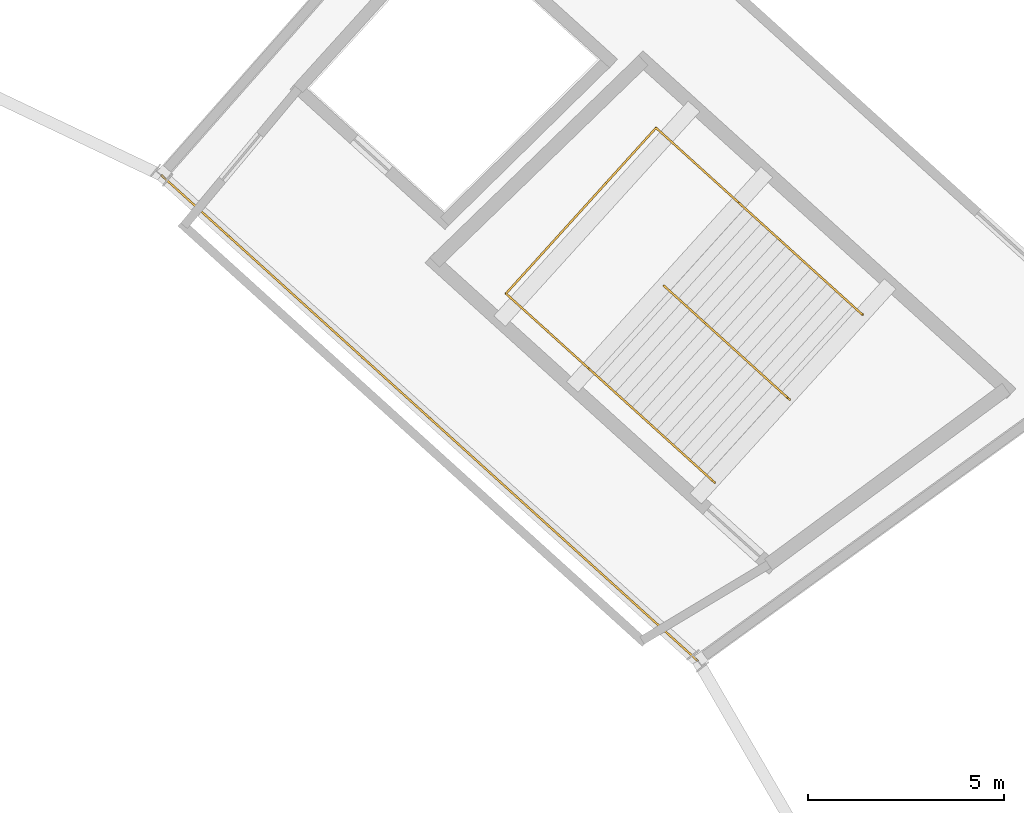
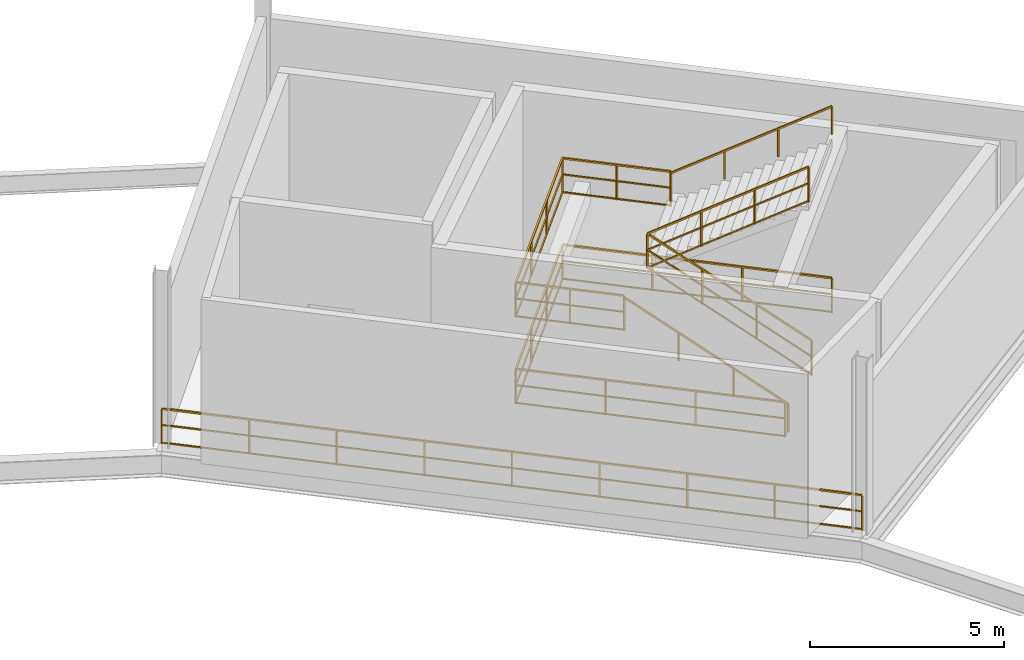
# One storey, part 86 of 86: 6 railings.
"""IFC4 building model written with IfcOpenShell, lengths in metres."""

from ifc_helpers import new_model, si_unit, direction, frame, origin, origin_2d, place, context, subcontext, project, spatial, rectangle, extrude, material, type_object, element, save


model = new_model("IFC4")

# Units and contexts
model_context = context("Model", 3, precision=1e-05, world=origin(), true_north=direction((0.0, 1.0)))
body_context = subcontext(model_context, "Body", "Model", "MODEL_VIEW")
ifc_project = project(units=[si_unit("LENGTHUNIT", "METRE"), si_unit("AREAUNIT", "SQUARE_METRE"), si_unit("VOLUMEUNIT", "CUBIC_METRE"), si_unit("PLANEANGLEUNIT", "RADIAN"), si_unit("MASSUNIT", "GRAM", prefix="KILO")], contexts=[model_context])

# Site, building, storey
site_placement = place(None, origin())
site = spatial("IfcSite", under=ifc_project, at=site_placement, CompositionType="ELEMENT")
building_placement = place(site_placement, origin())
building = spatial("IfcBuilding", under=site, at=building_placement, Name="Kazemori Nagisa Stadium", CompositionType="ELEMENT")
storey_placement = place(building_placement, frame((0.0, 0.0, 31.280029296875)))
storey = spatial("IfcBuildingStorey", under=building, at=storey_placement, Name="L06", CompositionType="ELEMENT", Elevation=31.280029296875)

# Railings
ifc_material_1 = material(Name="Laminated safety glass and stainless steel SUS304", Category="steel")
railing_type_1 = type_object("IfcRailingType", Name="Rail_BAL", PredefinedType="BALUSTRADE", material=ifc_material_1)
railing_1_placement = place(storey_placement, frame((190.506103515625, 150.734130859375, 0.0)))
element("IfcRailing", 1, at=railing_1_placement, inside=storey, type_object=railing_type_1, Name="Upper concourse balustrade L06-B04", PredefinedType="BALUSTRADE", context=body_context, shape_type="SweptSolid", body=[
    extrude(rectangle(XDim=0.050048828125, YDim=0.050048828125, at=origin_2d()), frame((0.0, 0.0, 1.09521484375), z_axis=(-0.741349142139, 0.671119549298, 0.0), x_axis=(-0.671119549298, -0.741349142139, 0.0)), (0.0, 0.0, 1.0), 18.44189453125),
    extrude(rectangle(XDim=0.03759765625, YDim=0.03759765625, at=origin_2d()), frame((0.0, 0.0, 0.58251953125), z_axis=(-0.741349142139, 0.671119549298, 0.0), x_axis=(-0.671119549298, -0.741349142139, 0.0)), (0.0, 0.0, 1.0), 18.44189453125),
    extrude(rectangle(XDim=0.03759765625, YDim=0.03759765625, at=origin_2d()), frame((0.0, 0.0, 0.02490234375), z_axis=(-0.741349142139, 0.671119549298, 0.0), x_axis=(-0.671119549298, -0.741349142139, 0.0)), (0.0, 0.0, 1.0), 18.44189453125),
    extrude(rectangle(XDim=0.044921875, YDim=0.044921875, at=origin_2d()), origin(), (0.0, 0.0, 1.0), 1.070068359375),
    extrude(rectangle(XDim=0.044921875, YDim=0.044921875, at=origin_2d()), frame((-1.708984375, 1.547119140625, 0.0)), (0.0, 0.0, 1.0), 1.070068359375),
    extrude(rectangle(XDim=0.044921875, YDim=0.044921875, at=origin_2d()), frame((-3.41796875, 3.09423828125, 0.0)), (0.0, 0.0, 1.0), 1.070068359375),
    extrude(rectangle(XDim=0.044921875, YDim=0.044921875, at=origin_2d()), frame((-5.126953125, 4.641357421875, 0.0)), (0.0, 0.0, 1.0), 1.070068359375),
    extrude(rectangle(XDim=0.044921875, YDim=0.044921875, at=origin_2d()), frame((-6.8359375, 6.1884765625, 0.0)), (0.0, 0.0, 1.0), 1.070068359375),
    extrude(rectangle(XDim=0.044921875, YDim=0.044921875, at=origin_2d()), frame((-8.544921875, 7.7353515625, 0.0)), (0.0, 0.0, 1.0), 1.070068359375),
    extrude(rectangle(XDim=0.044921875, YDim=0.044921875, at=origin_2d()), frame((-10.25390625, 9.282470703125, 0.0)), (0.0, 0.0, 1.0), 1.070068359375),
    extrude(rectangle(XDim=0.044921875, YDim=0.044921875, at=origin_2d()), frame((-11.962890625, 10.82958984375, 0.0)), (0.0, 0.0, 1.0), 1.070068359375),
    extrude(rectangle(XDim=0.044921875, YDim=0.044921875, at=origin_2d()), frame((-13.671875, 12.376708984375, 0.0)), (0.0, 0.0, 1.0), 1.070068359375),
])
ifc_material_2 = material(Name="Galvanised powder-coated steel", Category="steel")
railing_type_2 = type_object("IfcRailingType", Name="Rail_GUARD", PredefinedType="GUARDRAIL", material=ifc_material_2)
railing_2_placement = place(storey_placement, frame((190.87646484375, 155.334228515625, 0.0)))
element("IfcRailing", 2, at=railing_2_placement, inside=storey, type_object=railing_type_2, Name="Stair well perimeter guard ST01-L06", PredefinedType="GUARDRAIL", context=body_context, shape_type="SweptSolid", body=[
    extrude(rectangle(XDim=0.050048828125, YDim=0.050048828125, at=origin_2d()), frame((0.0, 0.0, 1.09521484375), z_axis=(-0.741349073354, 0.671119625281, 0.0), x_axis=(-0.671119625281, -0.741349073354, 0.0)), (0.0, 0.0, 1.0), 7.09521484375),
    extrude(rectangle(XDim=0.03759765625, YDim=0.03759765625, at=origin_2d()), frame((0.0, 0.0, 0.58251953125), z_axis=(-0.741349073354, 0.671119625281, 0.0), x_axis=(-0.671119625281, -0.741349073354, 0.0)), (0.0, 0.0, 1.0), 7.09521484375),
    extrude(rectangle(XDim=0.03759765625, YDim=0.03759765625, at=origin_2d()), frame((0.0, 0.0, 0.02490234375), z_axis=(-0.741349073354, 0.671119625281, 0.0), x_axis=(-0.671119625281, -0.741349073354, 0.0)), (0.0, 0.0, 1.0), 7.09521484375),
    extrude(rectangle(XDim=0.050048828125, YDim=0.050048828125, at=origin_2d()), frame((-5.260009765625, 4.76171875, 1.09521484375), z_axis=(0.67113423669, 0.74133584585, 0.0), x_axis=(-0.74133584585, 0.67113423669, 0.0)), (0.0, 0.0, 1.0), 5.699951171875),
    extrude(rectangle(XDim=0.03759765625, YDim=0.03759765625, at=origin_2d()), frame((-5.260009765625, 4.76171875, 0.58251953125), z_axis=(0.67113423669, 0.74133584585, 0.0), x_axis=(-0.74133584585, 0.67113423669, 0.0)), (0.0, 0.0, 1.0), 5.699951171875),
    extrude(rectangle(XDim=0.03759765625, YDim=0.03759765625, at=origin_2d()), frame((-5.260009765625, 4.76171875, 0.02490234375), z_axis=(0.67113423669, 0.74133584585, 0.0), x_axis=(-0.74133584585, 0.67113423669, 0.0)), (0.0, 0.0, 1.0), 5.699951171875),
    extrude(rectangle(XDim=0.050048828125, YDim=0.050048828125, at=origin_2d()), frame((-1.4345703125, 8.9873046875, 1.09521484375), z_axis=(0.741350695223, -0.671117833686, 0.0), x_axis=(0.671117833686, 0.741350695223, 0.0)), (0.0, 0.0, 1.0), 7.0947265625),
    extrude(rectangle(XDim=0.03759765625, YDim=0.03759765625, at=origin_2d()), frame((-1.4345703125, 8.9873046875, 0.58251953125), z_axis=(0.741350695223, -0.671117833686, 0.0), x_axis=(0.671117833686, 0.741350695223, 0.0)), (0.0, 0.0, 1.0), 7.0947265625),
    extrude(rectangle(XDim=0.03759765625, YDim=0.03759765625, at=origin_2d()), frame((-1.4345703125, 8.9873046875, 0.02490234375), z_axis=(0.741350695223, -0.671117833686, 0.0), x_axis=(0.671117833686, 0.741350695223, 0.0)), (0.0, 0.0, 1.0), 7.0947265625),
    extrude(rectangle(XDim=0.044921875, YDim=0.044921875, at=origin_2d()), origin(), (0.0, 0.0, 1.0), 1.070068359375),
    extrude(rectangle(XDim=0.044921875, YDim=0.044921875, at=origin_2d()), frame((-1.75341796875, 1.587158203125, 0.0)), (0.0, 0.0, 1.0), 1.070068359375),
    extrude(rectangle(XDim=0.044921875, YDim=0.044921875, at=origin_2d()), frame((-3.506591796875, 3.174560546875, 0.0)), (0.0, 0.0, 1.0), 1.070068359375),
    extrude(rectangle(XDim=0.044921875, YDim=0.044921875, at=origin_2d()), frame((-5.260009765625, 4.76171875, 0.0)), (0.0, 0.0, 1.0), 1.070068359375),
    extrude(rectangle(XDim=0.044921875, YDim=0.044921875, at=origin_2d()), frame((-3.98486328125, 6.170166015625, 0.0)), (0.0, 0.0, 1.0), 1.070068359375),
    extrude(rectangle(XDim=0.044921875, YDim=0.044921875, at=origin_2d()), frame((-2.709716796875, 7.578857421875, 0.0)), (0.0, 0.0, 1.0), 1.070068359375),
    extrude(rectangle(XDim=0.044921875, YDim=0.044921875, at=origin_2d()), frame((-1.4345703125, 8.9873046875, 0.0)), (0.0, 0.0, 1.0), 1.070068359375),
    extrude(rectangle(XDim=0.044921875, YDim=0.044921875, at=origin_2d()), frame((0.318603515625, 7.400146484375, 0.0)), (0.0, 0.0, 1.0), 1.070068359375),
    extrude(rectangle(XDim=0.044921875, YDim=0.044921875, at=origin_2d()), frame((2.072021484375, 5.81298828125, 0.0)), (0.0, 0.0, 1.0), 1.070068359375),
    extrude(rectangle(XDim=0.044921875, YDim=0.044921875, at=origin_2d()), frame((3.8251953125, 4.225830078125, 0.0)), (0.0, 0.0, 1.0), 1.070068359375),
])
railing_3_placement = place(storey_placement, frame((192.848388671875, 157.393310546875, 0.0)))
element("IfcRailing", 3, at=railing_3_placement, inside=storey, type_object=railing_type_2, Name="Stair central guard ST01-L06", PredefinedType="GUARDRAIL", context=body_context, shape_type="SweptSolid", body=[
    extrude(rectangle(XDim=0.050048828125, YDim=0.050048828125, at=origin_2d()), frame((0.0, 0.0, 1.09521484375), z_axis=(-0.627557777508, 0.568113486393, 0.532370456043), x_axis=(-0.67112318634, -0.741345849626, 0.0)), (0.0, 0.0, 1.0), 5.109130859375),
    extrude(rectangle(XDim=0.03759765625, YDim=0.03759765625, at=origin_2d()), frame((0.0, 0.0, 0.58251953125), z_axis=(-0.627557777508, 0.568113486393, 0.532370456043), x_axis=(-0.67112318634, -0.741345849626, 0.0)), (0.0, 0.0, 1.0), 5.109130859375),
    extrude(rectangle(XDim=0.03759765625, YDim=0.03759765625, at=origin_2d()), frame((0.0, 0.0, 0.02490234375), z_axis=(-0.627557777508, 0.568113486393, 0.532370456043), x_axis=(-0.67112318634, -0.741345849626, 0.0)), (0.0, 0.0, 1.0), 5.109130859375),
    extrude(rectangle(XDim=0.050048828125, YDim=0.050048828125, at=origin_2d()), frame((-3.206298828125, 2.902587890625, 3.81494140625), z_axis=(0.624200602078, -0.565073454279, 0.539504957933), x_axis=(0.671122625547, 0.741346357298, 0.0)), (0.0, 0.0, 1.0), 5.04150390625),
    extrude(rectangle(XDim=0.03759765625, YDim=0.03759765625, at=origin_2d()), frame((-3.206298828125, 2.902587890625, 3.302490234375), z_axis=(0.624200602078, -0.565073454279, 0.539504957933), x_axis=(0.671122625547, 0.741346357298, 0.0)), (0.0, 0.0, 1.0), 5.04150390625),
    extrude(rectangle(XDim=0.03759765625, YDim=0.03759765625, at=origin_2d()), frame((-3.206298828125, 2.902587890625, 2.7451171875), z_axis=(0.624200602078, -0.565073454279, 0.539504957933), x_axis=(0.671122625547, 0.741346357298, 0.0)), (0.0, 0.0, 1.0), 5.04150390625),
    extrude(rectangle(XDim=0.044921875, YDim=0.044921875, at=origin_2d()), origin(), (0.0, 0.0, 1.0), 1.070068359375),
    extrude(rectangle(XDim=0.044921875, YDim=0.044921875, at=origin_2d()), frame((-1.06884765625, 0.967529296875, 0.90673828125)), (0.0, 0.0, 1.0), 1.070068359375),
    extrude(rectangle(XDim=0.044921875, YDim=0.044921875, at=origin_2d()), frame((-2.137451171875, 1.93505859375, 1.813232421875)), (0.0, 0.0, 1.0), 1.070068359375),
    extrude(rectangle(XDim=0.044921875, YDim=0.044921875, at=origin_2d()), frame((-3.206298828125, 2.902587890625, 2.719970703125)), (0.0, 0.0, 1.0), 1.070068359375),
    extrude(rectangle(XDim=0.044921875, YDim=0.044921875, at=origin_2d()), frame((-2.1572265625, 1.952880859375, 3.626708984375)), (0.0, 0.0, 1.0), 1.070068359375),
    extrude(rectangle(XDim=0.044921875, YDim=0.044921875, at=origin_2d()), frame((-1.1083984375, 1.00341796875, 4.533203125)), (0.0, 0.0, 1.0), 1.070068359375),
    extrude(rectangle(XDim=0.044921875, YDim=0.044921875, at=origin_2d()), frame((-0.059326171875, 0.0537109375, 5.43994140625)), (0.0, 0.0, 1.0), 1.070068359375),
])
railing_4_placement = place(storey_placement, frame((187.729248046875, 158.18310546875, 2.719970703125)))
element("IfcRailing", 4, at=railing_4_placement, inside=storey, type_object=railing_type_2, Name="Stair landing guard ST01-L06", PredefinedType="GUARDRAIL", context=body_context, shape_type="SweptSolid", body=[
    extrude(rectangle(XDim=0.050048828125, YDim=0.050048828125, at=origin_2d()), frame((0.0, 0.0, 1.09521484375), z_axis=(-0.741314535645, 0.671157775223, 0.0), x_axis=(-0.671157775223, -0.741314535645, 0.0)), (0.0, 0.0, 1.0), 2.85009765625),
    extrude(rectangle(XDim=0.03759765625, YDim=0.03759765625, at=origin_2d()), frame((0.0, 0.0, 0.58251953125), z_axis=(-0.741314535645, 0.671157775223, 0.0), x_axis=(-0.671157775223, -0.741314535645, 0.0)), (0.0, 0.0, 1.0), 2.85009765625),
    extrude(rectangle(XDim=0.03759765625, YDim=0.03759765625, at=origin_2d()), frame((0.0, 0.0, 0.02490234375), z_axis=(-0.741314535645, 0.671157775223, 0.0), x_axis=(-0.671157775223, -0.741314535645, 0.0)), (0.0, 0.0, 1.0), 2.85009765625),
    extrude(rectangle(XDim=0.050048828125, YDim=0.050048828125, at=origin_2d()), frame((-2.11279296875, 1.912841796875, 1.09521484375), z_axis=(0.67113423669, 0.74133584585, 0.0), x_axis=(-0.74133584585, 0.67113423669, 0.0)), (0.0, 0.0, 1.0), 5.699951171875),
    extrude(rectangle(XDim=0.03759765625, YDim=0.03759765625, at=origin_2d()), frame((-2.11279296875, 1.912841796875, 0.58251953125), z_axis=(0.67113423669, 0.74133584585, 0.0), x_axis=(-0.74133584585, 0.67113423669, 0.0)), (0.0, 0.0, 1.0), 5.699951171875),
    extrude(rectangle(XDim=0.03759765625, YDim=0.03759765625, at=origin_2d()), frame((-2.11279296875, 1.912841796875, 0.02490234375), z_axis=(0.67113423669, 0.74133584585, 0.0), x_axis=(-0.74133584585, 0.67113423669, 0.0)), (0.0, 0.0, 1.0), 5.699951171875),
    extrude(rectangle(XDim=0.050048828125, YDim=0.050048828125, at=origin_2d()), frame((1.712646484375, 6.138427734375, 1.09521484375), z_axis=(0.741357156534, -0.671110696127, 0.0), x_axis=(0.671110696127, 0.741357156534, 0.0)), (0.0, 0.0, 1.0), 2.849853515625),
    extrude(rectangle(XDim=0.03759765625, YDim=0.03759765625, at=origin_2d()), frame((1.712646484375, 6.138427734375, 0.58251953125), z_axis=(0.741357156534, -0.671110696127, 0.0), x_axis=(0.671110696127, 0.741357156534, 0.0)), (0.0, 0.0, 1.0), 2.849853515625),
    extrude(rectangle(XDim=0.03759765625, YDim=0.03759765625, at=origin_2d()), frame((1.712646484375, 6.138427734375, 0.02490234375), z_axis=(0.741357156534, -0.671110696127, 0.0), x_axis=(0.671110696127, 0.741357156534, 0.0)), (0.0, 0.0, 1.0), 2.849853515625),
    extrude(rectangle(XDim=0.044921875, YDim=0.044921875, at=origin_2d()), origin(), (0.0, 0.0, 1.0), 1.070068359375),
    extrude(rectangle(XDim=0.044921875, YDim=0.044921875, at=origin_2d()), frame((-1.056396484375, 0.95654296875, 0.0)), (0.0, 0.0, 1.0), 1.070068359375),
    extrude(rectangle(XDim=0.044921875, YDim=0.044921875, at=origin_2d()), frame((-2.11279296875, 1.912841796875, 0.0)), (0.0, 0.0, 1.0), 1.070068359375),
    extrude(rectangle(XDim=0.044921875, YDim=0.044921875, at=origin_2d()), frame((-0.837646484375, 3.3212890625, 0.0)), (0.0, 0.0, 1.0), 1.070068359375),
    extrude(rectangle(XDim=0.044921875, YDim=0.044921875, at=origin_2d()), frame((0.4375, 4.72998046875, 0.0)), (0.0, 0.0, 1.0), 1.070068359375),
    extrude(rectangle(XDim=0.044921875, YDim=0.044921875, at=origin_2d()), frame((1.712646484375, 6.138427734375, 0.0)), (0.0, 0.0, 1.0), 1.070068359375),
    extrude(rectangle(XDim=0.044921875, YDim=0.044921875, at=origin_2d()), frame((2.76904296875, 5.18212890625, 0.0)), (0.0, 0.0, 1.0), 1.070068359375),
    extrude(rectangle(XDim=0.044921875, YDim=0.044921875, at=origin_2d()), frame((3.825439453125, 4.225830078125, 0.0)), (0.0, 0.0, 1.0), 1.070068359375),
])
ifc_material_3 = material(Name="Stainless steel SUS304", Category="steel")
railing_type_3 = type_object("IfcRailingType", Name="Rail_HAND", PredefinedType="HANDRAIL", material=ifc_material_3)
railing_5_placement = place(storey_placement, frame((190.935791015625, 155.280517578125, 0.169921875)))
element("IfcRailing", 5, at=railing_5_placement, inside=storey, type_object=railing_type_3, Name="Stair handrail ST01-L06-F1", PredefinedType="HANDRAIL", context=body_context, shape_type="SweptSolid", body=[
    extrude(rectangle(XDim=0.050048828125, YDim=0.050048828125, at=origin_2d()), frame((0.0, 0.0, 0.875), z_axis=(-0.627586741976, 0.568096450081, 0.532354491576), x_axis=(-0.671095101672, -0.741371273056, 0.0)), (0.0, 0.0, 1.0), 5.109375),
    extrude(rectangle(XDim=0.044921875, YDim=0.044921875, at=origin_2d()), origin(), (0.0, 0.0, 1.0), 0.849853515625),
    extrude(rectangle(XDim=0.044921875, YDim=0.044921875, at=origin_2d()), frame((-1.06884765625, 0.967529296875, 0.90673828125)), (0.0, 0.0, 1.0), 0.849853515625),
    extrude(rectangle(XDim=0.044921875, YDim=0.044921875, at=origin_2d()), frame((-2.1376953125, 1.93505859375, 1.813232421875)), (0.0, 0.0, 1.0), 0.849853515625),
    extrude(rectangle(XDim=0.044921875, YDim=0.044921875, at=origin_2d()), frame((-3.20654296875, 2.902587890625, 2.719970703125)), (0.0, 0.0, 1.0), 0.849853515625),
])
railing_6_placement = place(storey_placement, frame((191.5546875, 162.408935546875, 2.889892578125)))
element("IfcRailing", 6, at=railing_6_placement, inside=storey, type_object=railing_type_3, Name="Stair handrail ST01-L06-F2", PredefinedType="HANDRAIL", context=body_context, shape_type="SweptSolid", body=[
    extrude(rectangle(XDim=0.050048828125, YDim=0.050048828125, at=origin_2d()), frame((0.0, 0.0, 0.875), z_axis=(0.624200602078, -0.565073454279, 0.539504957933), x_axis=(0.671122625547, 0.741346357298, 0.0)), (0.0, 0.0, 1.0), 5.04150390625),
    extrude(rectangle(XDim=0.044921875, YDim=0.044921875, at=origin_2d()), origin(), (0.0, 0.0, 1.0), 0.849853515625),
    extrude(rectangle(XDim=0.044921875, YDim=0.044921875, at=origin_2d()), frame((1.049072265625, -0.94970703125, 0.90673828125)), (0.0, 0.0, 1.0), 0.849853515625),
    extrude(rectangle(XDim=0.044921875, YDim=0.044921875, at=origin_2d()), frame((2.097900390625, -1.899169921875, 1.813232421875)), (0.0, 0.0, 1.0), 0.849853515625),
    extrude(rectangle(XDim=0.044921875, YDim=0.044921875, at=origin_2d()), frame((3.14697265625, -2.848876953125, 2.719970703125)), (0.0, 0.0, 1.0), 0.849853515625),
])

save(model, "model.ifc")
